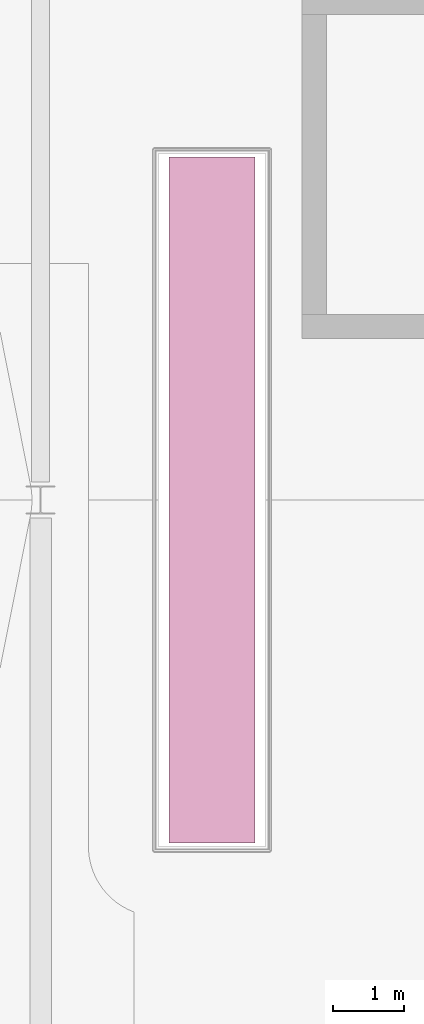
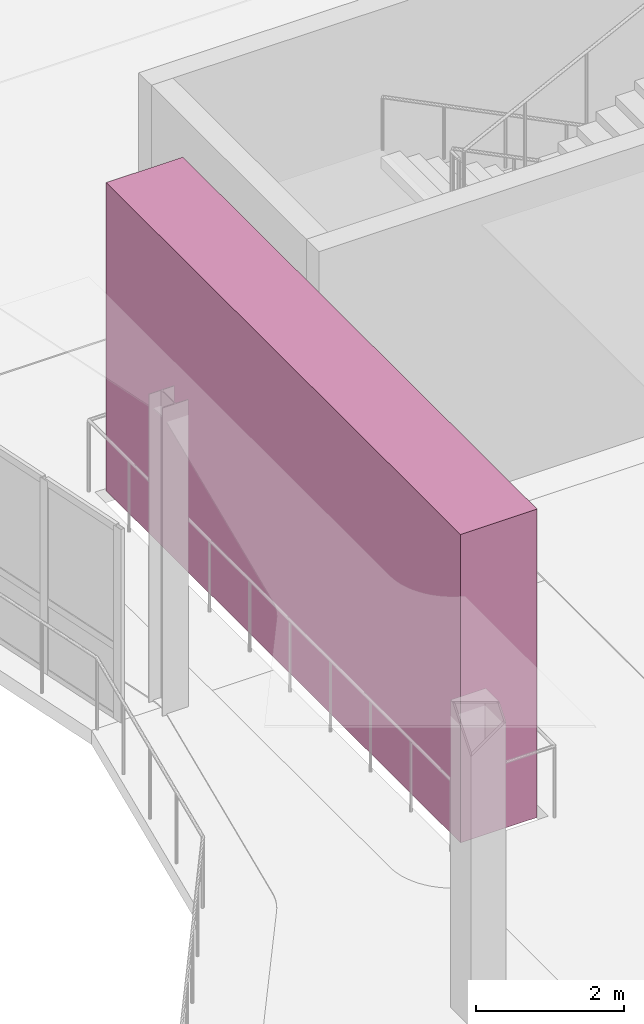
# One storey, part 103 of 103: 1 transport element.
"""IFC4 building model written with IfcOpenShell, lengths in metres."""

from ifc_helpers import new_model, si_unit, direction, frame, origin, origin_2d, place, context, subcontext, project, spatial, rectangle, extrude, material, type_object, element, save


model = new_model("IFC4")

# Units and contexts
model_context = context("Model", 3, precision=1e-05, world=origin(), true_north=direction((0.0, 1.0)))
body_context = subcontext(model_context, "Body", "Model", "MODEL_VIEW")
ifc_project = project(units=[si_unit("LENGTHUNIT", "METRE"), si_unit("AREAUNIT", "SQUARE_METRE"), si_unit("VOLUMEUNIT", "CUBIC_METRE"), si_unit("PLANEANGLEUNIT", "RADIAN"), si_unit("MASSUNIT", "GRAM", prefix="KILO"), si_unit("THERMODYNAMICTEMPERATUREUNIT", "KELVIN")], contexts=[model_context])

# Site, building, storey
site_placement = place(None, origin())
site = spatial("IfcSite", under=ifc_project, at=site_placement, CompositionType="ELEMENT")
building_placement = place(site_placement, origin())
building = spatial("IfcBuilding", under=site, at=building_placement, Name="Lustrewick Department Store", CompositionType="ELEMENT")
storey_placement = place(building_placement, frame((0.0, 0.0, 16.5)))
storey = spatial("IfcBuildingStorey", under=building, at=storey_placement, Name="L04", CompositionType="ELEMENT", Elevation=16.5)

# Transport element
ifc_material = material(Name="Brushed stainless steel and safety glass escalator", Category="steel")
transport_element_type = type_object("IfcTransportElementType", Name="ESC-30", PredefinedType="ESCALATOR", material=ifc_material)
transport_element_placement = place(storey_placement, frame((44.39990234375, 67.199951171875, 0.0), z_axis=(0.0, 0.0, 1.0), x_axis=(1.0, 0.0, 0.0)))
element("IfcTransportElement", 1, at=transport_element_placement, inside=storey, type_object=transport_element_type, Name="L04 Reversible Escalator ESC-04", PredefinedType="ESCALATOR", context=body_context, shape_type="SweptSolid", body=[
    extrude(rectangle(XDim=1.199951171875, YDim=9.60009765625, at=origin_2d()), origin(), (0.0, 0.0, 1.0), 5.10009765625),
])

save(model, "model.ifc")
